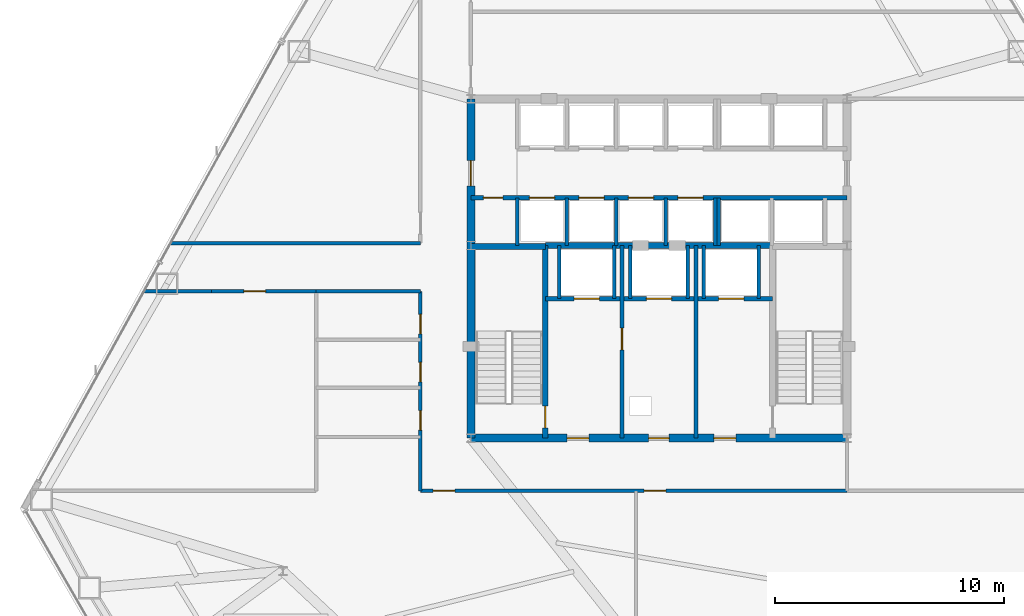
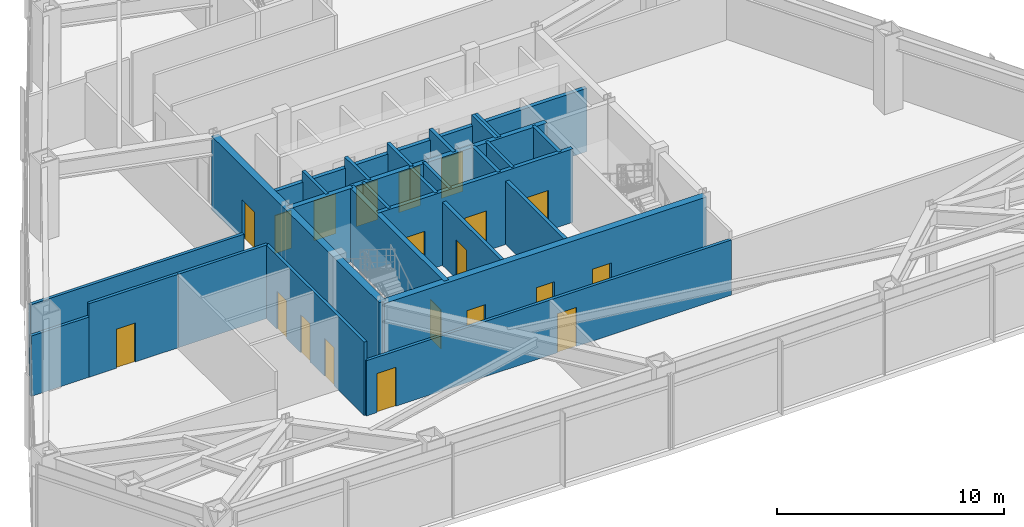
# One storey, part 10 of 13: 27 walls, 20 doors, 20 openings.
"""IFC4 building model written with IfcOpenShell, lengths in metres."""

import ifcopenshell
import ifcopenshell.guid

model = None  # the IFC model being written
_history = None  # IfcOwnerHistory: only IFC2X3 demands one
_inside = {}  # id of a spatial element -> (the spatial element, [elements in it])
_under = {}  # id of a project, library or spatial element -> (it, [spatial elements below it])
_declared = {}  # id of a project -> (the project, [libraries it declares])
_typed = {}  # id of a type object -> (the type object, [elements of that type])
_made_of = {}  # id of a material, layer set ... -> (it, [elements and type objects made of it])


def new_model(schema):
    """Start an empty IFC model of exactly this schema.

    Asked for "IFC4X3", IfcOpenShell would pick the latest addendum, in which some entities
    have other attributes; the version numbers below select the first issue.
    IFC2X3 requires an IfcOwnerHistory on every rooted entity: one is made here for all.
    """
    global model, _history
    if schema == "IFC4X3":
        model = ifcopenshell.file(schema_version=(4, 3, 0, 0))
    else:
        model = ifcopenshell.file(schema=schema)
    _inside.clear()
    _under.clear()
    _declared.clear()
    _typed.clear()
    _made_of.clear()
    _history = None
    if model.schema == "IFC2X3":
        org = make("IfcOrganization", Name="unknown")
        user = make(
            "IfcPersonAndOrganization",
            ThePerson=make("IfcPerson", FamilyName="unknown"),
            TheOrganization=org,
        )
        app = make(
            "IfcApplication",
            ApplicationDeveloper=org,
            Version="unknown",
            ApplicationFullName="unknown",
            ApplicationIdentifier="unknown",
        )
        _history = make(
            "IfcOwnerHistory",
            OwningUser=user,
            OwningApplication=app,
            ChangeAction="ADDED",
            CreationDate=0,
        )
    return model


def make(cls, **values):
    """One entity of the class cls with the attributes given. An attribute that is None is left unset."""
    return model.create_entity(
        cls, **{name: value for name, value in values.items() if value is not None}
    )


def rooted(cls, **values):
    """An entity with a GlobalId (a new one), such as an element, a storey or a relation."""
    return make(cls, GlobalId=ifcopenshell.guid.new(), OwnerHistory=_history, **values)


def si_unit(unit_type, name, prefix=None):
    """IfcSIUnit, for example si_unit("LENGTHUNIT", "METRE", prefix="MILLI")."""
    return make("IfcSIUnit", UnitType=unit_type, Prefix=prefix, Name=name)


def assignment(units):
    """IfcUnitAssignment: the units of a project."""
    return None if units is None else make("IfcUnitAssignment", Units=units)


def point(xyz):
    """IfcCartesianPoint."""
    return None if xyz is None else make("IfcCartesianPoint", Coordinates=xyz)


def direction(xyz):
    """IfcDirection."""
    return None if xyz is None else make("IfcDirection", DirectionRatios=xyz)


def frame(location, z_axis=None, x_axis=None):
    """IfcAxis2Placement3D, a coordinate frame: its origin and axes. An axis left out is left unset."""
    return make(
        "IfcAxis2Placement3D",
        Location=point(location),
        Axis=direction(z_axis),
        RefDirection=direction(x_axis),
    )


def frame_2d(location, x_axis=None):
    """IfcAxis2Placement2D, a coordinate frame in the plane: its origin and x axis."""
    return make(
        "IfcAxis2Placement2D", Location=point(location), RefDirection=direction(x_axis)
    )


def origin():
    """The frame at (0, 0, 0) with its axes left unset."""
    return frame((0.0, 0.0, 0.0))


def place(relative_to, where):
    """IfcLocalPlacement: puts the frame where relative to a parent placement (None: the world)."""
    return make(
        "IfcLocalPlacement", PlacementRelTo=relative_to, RelativePlacement=where
    )


def context(
    kind, dimensions, precision=None, world=None, true_north=None, identifier=None
):
    """IfcGeometricRepresentationContext, for example the 3D "Model" context."""
    return make(
        "IfcGeometricRepresentationContext",
        ContextIdentifier=identifier,
        ContextType=kind,
        CoordinateSpaceDimension=dimensions,
        Precision=precision,
        WorldCoordinateSystem=world,
        TrueNorth=true_north,
    )


def subcontext(parent, identifier, kind, view, scale=None):
    """IfcGeometricRepresentationSubContext, for example "Body" below "Model"."""
    return make(
        "IfcGeometricRepresentationSubContext",
        ContextIdentifier=identifier,
        ContextType=kind,
        ParentContext=parent,
        TargetScale=scale,
        TargetView=view,
    )


def project(units=None, contexts=None):
    """IfcProject with its units and contexts."""
    return rooted(
        "IfcProject",
        Name="project",
        RepresentationContexts=contexts,
        UnitsInContext=assignment(units),
    )


def spatial(cls, under=None, at=None, **own):
    """A site, building, storey or space (cls), placed at a placement, below another one or the project."""
    s = rooted(cls, ObjectPlacement=at, **own)
    if under is not None:
        _under.setdefault(under.id(), (under, []))[1].append(s)
    return s


def profile(cls, at=None, kind="AREA", **sizes):
    """A parametric profile (cls). Its sizes go by their IFC names, for example OverallWidth=200.0."""
    return make(cls, ProfileType=kind, Position=at, **sizes)


def rectangle(**sizes):
    """IfcRectangleProfileDef."""
    return profile("IfcRectangleProfileDef", **sizes)


def extrude(swept, where, along, depth):
    """IfcExtrudedAreaSolid: the profile swept, set in the frame where, extruded along a direction by depth."""
    return make(
        "IfcExtrudedAreaSolid",
        SweptArea=swept,
        Position=where,
        ExtrudedDirection=direction(along),
        Depth=depth,
    )


def shape(context_of_items, identifier, shape_type, items):
    """IfcShapeRepresentation: the items that make up one representation, for example the "Body"."""
    return make(
        "IfcShapeRepresentation",
        ContextOfItems=context_of_items,
        RepresentationIdentifier=identifier,
        RepresentationType=shape_type,
        Items=items,
    )


def material(Name=None, Category=None):
    """IfcMaterial."""
    return make("IfcMaterial", Name=Name, Category=Category)


def layer(
    of_material, thickness, ventilated=None, Name=None, Category=None, Priority=None
):
    """IfcMaterialLayer: one layer of a wall or slab, of a material (None: an air gap)."""
    return make(
        "IfcMaterialLayer",
        Material=of_material,
        LayerThickness=thickness,
        IsVentilated=ventilated,
        Name=Name,
        Category=Category,
        Priority=Priority,
    )


def layer_set(layers, Name=None):
    """IfcMaterialLayerSet."""
    return make("IfcMaterialLayerSet", MaterialLayers=layers, LayerSetName=Name)


def made_of(thing, what):
    """Note that an element or type object is made of a material, layer set ...; save() writes the relation."""
    if what is not None:
        _made_of.setdefault(what.id(), (what, []))[1].append(thing)
    return thing


def type_object(cls, material=None, **own):
    """A type object (cls), such as IfcWallType, which elements share."""
    return made_of(rooted(cls, **own), material)


def element(
    cls,
    number,
    at=None,
    inside=None,
    cuts=None,
    type_object=None,
    material=None,
    context=None,
    identifier="Body",
    shape_type=None,
    held_by="IfcProductDefinitionShape",
    body=None,
    shapes=None,
    **own,
):
    """One element of the class cls, such as IfcWall. Its Tag is "e" and its number.

    at: its placement. inside: the storey or other place that contains it. cuts: it is an
    opening in that element (IfcRelVoidsElement). A single representation is given by context,
    identifier, shape_type and body (its items); several are given by shapes. held_by: the class
    of the entity that holds the representations. save() writes the other relations.
    """
    e = rooted(cls, Tag="e%d" % number, ObjectPlacement=at, **own)
    if body is not None:
        shapes = [shape(context, identifier, shape_type, body)]
    if shapes is not None:
        e.Representation = make(held_by, Representations=shapes)
    if inside is not None:
        _inside.setdefault(inside.id(), (inside, []))[1].append(e)
    if cuts is not None:
        rooted(
            "IfcRelVoidsElement", RelatingBuildingElement=cuts, RelatedOpeningElement=e
        )
    if type_object is not None:
        _typed.setdefault(type_object.id(), (type_object, []))[1].append(e)
    return made_of(e, material)


def fill(opening, filler):
    """IfcRelFillsElement: the door or window that sits in an opening."""
    return rooted(
        "IfcRelFillsElement",
        RelatingOpeningElement=opening,
        RelatedBuildingElement=filler,
    )


def aggregate(whole, parts):
    """IfcRelAggregates: a whole, such as a stair, and the parts it consists of."""
    return rooted("IfcRelAggregates", RelatingObject=whole, RelatedObjects=parts)


def save(model, path):
    """Write the relations noted so far, then the file.

    IfcRelAggregates (storeys below a building ...), IfcRelContainedInSpatialStructure (elements
    in a storey), IfcRelDefinesByType, IfcRelAssociatesMaterial and IfcRelDeclares: one each for
    every whole, place, type object, material and project.
    """
    for whole, parts in _under.values():
        aggregate(whole, parts)
    for where, things in _inside.values():
        rooted(
            "IfcRelContainedInSpatialStructure",
            RelatedElements=things,
            RelatingStructure=where,
        )
    for kind, things in _typed.values():
        rooted("IfcRelDefinesByType", RelatedObjects=things, RelatingType=kind)
    for what, things in _made_of.values():
        rooted("IfcRelAssociatesMaterial", RelatedObjects=things, RelatingMaterial=what)
    for by, libraries in _declared.values():
        rooted("IfcRelDeclares", RelatingContext=by, RelatedDefinitions=libraries)
    model.write(path)


model = new_model("IFC4")

# Units and contexts
model_context = context("Model", 3, precision=1e-05, world=origin(), true_north=direction((0.0, 1.0)))
body_context = subcontext(model_context, "Body", "Model", "MODEL_VIEW")
ifc_project = project(units=[si_unit("LENGTHUNIT", "METRE"), si_unit("AREAUNIT", "SQUARE_METRE"), si_unit("VOLUMEUNIT", "CUBIC_METRE"), si_unit("PLANEANGLEUNIT", "RADIAN"), si_unit("MASSUNIT", "GRAM", prefix="KILO")], contexts=[model_context])

# Site, building, storey
site_placement = place(None, origin())
site = spatial("IfcSite", under=ifc_project, at=site_placement, CompositionType="ELEMENT")
building_placement = place(site_placement, origin())
building = spatial("IfcBuilding", under=site, at=building_placement, Name="Varakhsha Concourse Tower", CompositionType="ELEMENT")
storey_placement = place(building_placement, frame((0.0, 0.0, 111.800048828125)))
storey = spatial("IfcBuildingStorey", under=building, at=storey_placement, Name="L32", CompositionType="ELEMENT", Elevation=111.800048828125)

# Wall, openings, doors
ifc_material_1 = material(Name="Concrete fc 65 MPa", Category="concrete")
ifc_layer_1 = layer(ifc_material_1, 0.35009765625, Name="WL-CORE-350")
ifc_layer_set_1 = layer_set([ifc_layer_1], Name="Concrete fc 65 MPa")
wall_type_1 = type_object("IfcWallType", Name="WL-CORE-350", PredefinedType="SHEAR", material=ifc_layer_set_1)
wall_1_placement = place(storey_placement, frame((31.800048828125, 16.39990234375, 0.0), z_axis=(0.0, 0.0, 1.0), x_axis=(1.0, 0.0, 0.0)))
wall_1 = element("IfcWall", 1, at=wall_1_placement, inside=storey, type_object=wall_type_1, Name="L32 Wall CWALL-S-L32", PredefinedType="SHEAR", context=body_context, shape_type="SweptSolid", body=[
    extrude(rectangle(XDim=16.39990234375, YDim=0.35009765625, at=frame_2d((8.199951171875, 0.0))), origin(), (0.0, 0.0, 1.0), 3.9599609375),
])
opening_1_placement = place(wall_1_placement, frame((7.75, 0.0, 0.0)))
opening_1 = element("IfcOpeningElement", 2, at=opening_1_placement, cuts=wall_1, Name="Opening DF-06", PredefinedType="OPENING", context=body_context, shape_type="SweptSolid", body=[
    extrude(rectangle(XDim=0.89990234375, YDim=2.10009765625, at=frame_2d((0.449951171875, 1.050048828125))), frame((0.0, 0.18505859375, 0.0), z_axis=(0.0, -1.0, 0.0), x_axis=(1.0, 0.0, 0.0)), (0.0, 0.0, 1.0), 0.3701171875),
])
opening_2_placement = place(wall_1_placement, frame((4.199951171875, 0.0, 0.0)))
opening_2 = element("IfcOpeningElement", 3, at=opening_2_placement, cuts=wall_1, Name="Opening DF-05", PredefinedType="OPENING", context=body_context, shape_type="SweptSolid", body=[
    extrude(rectangle(XDim=0.949951171875, YDim=2.10009765625, at=frame_2d((0.47509765625, 1.050048828125))), frame((0.0, 0.18505859375, 0.0), z_axis=(0.0, -1.0, 0.0), x_axis=(1.0, 0.0, 0.0)), (0.0, 0.0, 1.0), 0.3701171875),
])
opening_3_placement = place(wall_1_placement, frame((10.60009765625, 0.0, 0.0)))
opening_3 = element("IfcOpeningElement", 4, at=opening_3_placement, cuts=wall_1, Name="Opening DF-05", PredefinedType="OPENING", context=body_context, shape_type="SweptSolid", body=[
    extrude(rectangle(XDim=0.949951171875, YDim=2.10009765625, at=frame_2d((0.47509765625, 1.050048828125))), frame((0.0, 0.18505859375, 0.0), z_axis=(0.0, -1.0, 0.0), x_axis=(1.0, 0.0, 0.0)), (0.0, 0.0, 1.0), 0.3701171875),
])
ifc_material_2 = material(Name="Hollow Galvanised Steel Fire Door Assembly", Category="steel")
door_type_1 = type_object("IfcDoorType", Name="DR-FD60-900", OperationType="NOTDEFINED", PredefinedType="DOOR", material=ifc_material_2)
door_1_placement = place(opening_1_placement, origin())
door_1 = element("IfcDoor", 5, at=door_1_placement, inside=storey, type_object=door_type_1, Name="L32 Service Riser Vestibule Door", OperationType="SINGLE_SWING_LEFT", OverallHeight=2.10009765625, OverallWidth=0.89990234375, PredefinedType="DOOR", context=body_context, shape_type="SweptSolid", body=[
    extrude(rectangle(XDim=0.89990234375, YDim=2.10009765625, at=frame_2d((0.449951171875, 1.050048828125))), frame((0.0, 0.02490234375, 0.0), z_axis=(0.0, -1.0, 0.0), x_axis=(1.0, 0.0, 0.0)), (0.0, 0.0, 1.0), 0.050048828125),
])
fill(opening_1, door_1)
door_type_2 = type_object("IfcDoorType", Name="DR-FD60-950", OperationType="NOTDEFINED", PredefinedType="DOOR", material=ifc_material_2)
door_2_placement = place(opening_2_placement, origin())
door_2 = element("IfcDoor", 6, at=door_2_placement, inside=storey, type_object=door_type_2, Name="L32 Firefighting Lobby West Door", OperationType="SINGLE_SWING_RIGHT", OverallHeight=2.10009765625, OverallWidth=0.949951171875, PredefinedType="DOOR", context=body_context, shape_type="SweptSolid", body=[
    extrude(rectangle(XDim=0.949951171875, YDim=2.10009765625, at=frame_2d((0.47509765625, 1.050048828125))), frame((0.0, 0.02490234375, 0.0), z_axis=(0.0, -1.0, 0.0), x_axis=(1.0, 0.0, 0.0)), (0.0, 0.0, 1.0), 0.050048828125),
])
fill(opening_2, door_2)
door_3_placement = place(opening_3_placement, origin())
door_3 = element("IfcDoor", 7, at=door_3_placement, inside=storey, type_object=door_type_2, Name="L32 Firefighting Lobby East Door", OperationType="SINGLE_SWING_LEFT", OverallHeight=2.10009765625, OverallWidth=0.949951171875, PredefinedType="DOOR", context=body_context, shape_type="SweptSolid", body=[
    extrude(rectangle(XDim=0.949951171875, YDim=2.10009765625, at=frame_2d((0.47509765625, 1.050048828125))), frame((0.0, 0.02490234375, 0.0), z_axis=(0.0, -1.0, 0.0), x_axis=(1.0, 0.0, 0.0)), (0.0, 0.0, 1.0), 0.050048828125),
])
fill(opening_3, door_3)

# Wall, opening, door
wall_2_placement = place(storey_placement, frame((31.800048828125, 16.39990234375, 0.0), z_axis=(0.0, 0.0, 1.0), x_axis=(0.0, 1.0, 0.0)))
wall_2 = element("IfcWall", 8, at=wall_2_placement, inside=storey, type_object=wall_type_1, Name="L32 Wall CWALL-W-L32", PredefinedType="SHEAR", context=body_context, shape_type="SweptSolid", body=[
    extrude(rectangle(XDim=14.800048828125, YDim=0.35009765625, at=frame_2d((7.39990234375, 0.0))), origin(), (0.0, 0.0, 1.0), 3.9599609375),
])
opening_4_placement = place(wall_2_placement, frame((11.0, 0.0, 0.0)))
opening_4 = element("IfcOpeningElement", 9, at=opening_4_placement, cuts=wall_2, Name="Opening DL-01", PredefinedType="OPENING", context=body_context, shape_type="SweptSolid", body=[
    extrude(rectangle(XDim=1.10009765625, YDim=2.14990234375, at=frame_2d((0.550048828125, 1.074951171875))), frame((0.0, 0.18505859375, 0.0), z_axis=(0.0, -1.0, 0.0), x_axis=(1.0, 0.0, 0.0)), (0.0, 0.0, 1.0), 0.3701171875),
])
ifc_material_3 = material(Name="Anodised Bronze Architectural Aluminium AA 6063-T6", Category="aluminium")
door_type_3 = type_object("IfcDoorType", Name="DR-LOB-1100", OperationType="NOTDEFINED", PredefinedType="DOOR", material=ifc_material_3)
door_4_placement = place(opening_4_placement, origin())
door_4 = element("IfcDoor", 10, at=door_4_placement, inside=storey, type_object=door_type_3, Name="L32 Lift Lobby West Concourse Door", OperationType="SINGLE_SWING_LEFT", OverallHeight=2.14990234375, OverallWidth=1.10009765625, PredefinedType="DOOR", context=body_context, shape_type="SweptSolid", body=[
    extrude(rectangle(XDim=1.10009765625, YDim=2.14990234375, at=frame_2d((0.550048828125, 1.074951171875))), frame((0.0, 0.02490234375, 0.0), z_axis=(0.0, -1.0, 0.0), x_axis=(1.0, 0.0, 0.0)), (0.0, 0.0, 1.0), 0.050048828125),
])
fill(opening_4, door_4)

ifc_material_4 = material(Name="Fire-Rated Type X Gypsum Partition Assembly", Category="gypsum")
ifc_layer_2 = layer(ifc_material_4, 0.179931640625, Name="WL-FFLOB-180")
ifc_layer_set_2 = layer_set([ifc_layer_2], Name="Fire-Rated Type X Gypsum Partition Assembly")
wall_type_2 = type_object("IfcWallType", Name="WL-FFLOB-180", PredefinedType="PARTITIONING", material=ifc_layer_set_2)
wall_3_placement = place(storey_placement, frame((38.389892578125, 16.39990234375, 0.0), z_axis=(0.0, 0.0, 1.0), x_axis=(0.0, 1.0, 0.0)))
wall_3 = element("IfcWall", 11, at=wall_3_placement, inside=storey, type_object=wall_type_2, Name="L32 Wall FFW-1E-L32", PredefinedType="PARTITIONING", context=body_context, shape_type="SweptSolid", body=[
    extrude(rectangle(XDim=8.400146484375, YDim=0.179931640625, at=frame_2d((4.2001953125, 0.0))), origin(), (0.0, 0.0, 1.0), 3.410888671875),
])
opening_5_placement = place(wall_3_placement, frame((3.85009765625, 0.0, 0.0)))
opening_5 = element("IfcOpeningElement", 12, at=opening_5_placement, cuts=wall_3, Name="Opening DF-05", PredefinedType="OPENING", context=body_context, shape_type="SweptSolid", body=[
    extrude(rectangle(XDim=0.949951171875, YDim=2.10009765625, at=frame_2d((0.47509765625, 1.050048828125))), frame((0.0, 0.099853515625, 0.0), z_axis=(0.0, -1.0, 0.0), x_axis=(1.0, 0.0, 0.0)), (0.0, 0.0, 1.0), 0.199951171875),
])
door_5_placement = place(opening_5_placement, origin())
door_5 = element("IfcDoor", 13, at=door_5_placement, inside=storey, type_object=door_type_2, Name="L32 Service Vestibule Door", OperationType="SINGLE_SWING_RIGHT", OverallHeight=2.10009765625, OverallWidth=0.949951171875, PredefinedType="DOOR", context=body_context, shape_type="SweptSolid", body=[
    extrude(rectangle(XDim=0.949951171875, YDim=2.10009765625, at=frame_2d((0.47509765625, 1.050048828125))), frame((0.0, 0.02490234375, 0.0), z_axis=(0.0, -1.0, 0.0), x_axis=(1.0, 0.0, 0.0)), (0.0, 0.0, 1.0), 0.050048828125),
])
fill(opening_5, door_5)

# Wall
wall_4_placement = place(storey_placement, frame((41.610107421875, 16.39990234375, 0.0), z_axis=(0.0, 0.0, 1.0), x_axis=(0.0, 1.0, 0.0)))
element("IfcWall", 14, at=wall_4_placement, inside=storey, type_object=wall_type_2, Name="L32 Wall FFW-2W-L32", PredefinedType="PARTITIONING", context=body_context, shape_type="SweptSolid", body=[
    extrude(rectangle(XDim=8.400146484375, YDim=0.179931640625, at=frame_2d((4.2001953125, 0.0))), origin(), (0.0, 0.0, 1.0), 3.410888671875),
])

# Wall, openings, doors
ifc_layer_3 = layer(ifc_material_4, 0.14990234375, Name="WL-PART-150")
ifc_layer_set_3 = layer_set([ifc_layer_3], Name="Fire-Rated Type X Gypsum Partition Assembly")
wall_type_3 = type_object("IfcWallType", Name="WL-PART-150", PredefinedType="PARTITIONING", material=ifc_layer_set_3)
wall_5_placement = place(storey_placement, frame((29.60009765625, 14.10009765625, 0.0), z_axis=(0.0, 0.0, 1.0), x_axis=(1.0, 0.0, 0.0)))
wall_5 = element("IfcWall", 15, at=wall_5_placement, inside=storey, type_object=wall_type_3, Name="L32 Wall CRW-S-L32", PredefinedType="PARTITIONING", context=body_context, shape_type="SweptSolid", body=[
    extrude(rectangle(XDim=18.599853515625, YDim=0.14990234375, at=frame_2d((9.2998046875, 0.0))), origin(), (0.0, 0.0, 1.0), 2.974853515625),
])
opening_6_placement = place(wall_5_placement, frame((0.550048828125, 0.0, 0.0)))
opening_6 = element("IfcOpeningElement", 16, at=opening_6_placement, cuts=wall_5, Name="Opening DF-05", PredefinedType="OPENING", context=body_context, shape_type="SweptSolid", body=[
    extrude(rectangle(XDim=0.949951171875, YDim=2.10009765625, at=frame_2d((0.47509765625, 1.050048828125))), frame((0.0, 0.0849609375, 0.0), z_axis=(0.0, -1.0, 0.0), x_axis=(1.0, 0.0, 0.0)), (0.0, 0.0, 1.0), 0.169921875),
])
opening_7_placement = place(wall_5_placement, frame((9.75, 0.0, 0.0)))
opening_7 = element("IfcOpeningElement", 17, at=opening_7_placement, cuts=wall_5, Name="Opening DF-05", PredefinedType="OPENING", context=body_context, shape_type="SweptSolid", body=[
    extrude(rectangle(XDim=0.949951171875, YDim=2.10009765625, at=frame_2d((0.47509765625, 1.050048828125))), frame((0.0, 0.0849609375, 0.0), z_axis=(0.0, -1.0, 0.0), x_axis=(1.0, 0.0, 0.0)), (0.0, 0.0, 1.0), 0.169921875),
])
door_6_placement = place(opening_6_placement, origin())
door_6 = element("IfcDoor", 18, at=door_6_placement, inside=storey, type_object=door_type_2, Name="L32 Concourse Briefing Room L32-S1 Door", OperationType="SINGLE_SWING_LEFT", OverallHeight=2.10009765625, OverallWidth=0.949951171875, PredefinedType="DOOR", context=body_context, shape_type="SweptSolid", body=[
    extrude(rectangle(XDim=0.949951171875, YDim=2.10009765625, at=frame_2d((0.47509765625, 1.050048828125))), frame((0.0, 0.02490234375, 0.0), z_axis=(0.0, -1.0, 0.0), x_axis=(1.0, 0.0, 0.0)), (0.0, 0.0, 1.0), 0.050048828125),
])
fill(opening_6, door_6)
door_7_placement = place(opening_7_placement, origin())
door_7 = element("IfcDoor", 19, at=door_7_placement, inside=storey, type_object=door_type_2, Name="L32 Sky Lobby Transfer Lounge L32-S2 Door", OperationType="SINGLE_SWING_RIGHT", OverallHeight=2.10009765625, OverallWidth=0.949951171875, PredefinedType="DOOR", context=body_context, shape_type="SweptSolid", body=[
    extrude(rectangle(XDim=0.949951171875, YDim=2.10009765625, at=frame_2d((0.47509765625, 1.050048828125))), frame((0.0, 0.02490234375, 0.0), z_axis=(0.0, -1.0, 0.0), x_axis=(1.0, 0.0, 0.0)), (0.0, 0.0, 1.0), 0.050048828125),
])
fill(opening_7, door_7)

wall_6_placement = place(storey_placement, frame((29.60009765625, 14.10009765625, 0.0), z_axis=(0.0, 0.0, 1.0), x_axis=(0.0, 1.0, 0.0)))
wall_6 = element("IfcWall", 20, at=wall_6_placement, inside=storey, type_object=wall_type_3, Name="L32 Wall CRW-WS-L32", PredefinedType="PARTITIONING", context=body_context, shape_type="SweptSolid", body=[
    extrude(rectangle(XDim=8.699951171875, YDim=0.14990234375, at=frame_2d((4.35009765625, 0.0))), origin(), (0.0, 0.0, 1.0), 3.9599609375),
])
opening_8_placement = place(wall_6_placement, frame((2.64990234375, 0.0, 0.0)))
opening_8 = element("IfcOpeningElement", 21, at=opening_8_placement, cuts=wall_6, Name="Opening DF-07", PredefinedType="OPENING", context=body_context, shape_type="SweptSolid", body=[
    extrude(rectangle(XDim=0.85009765625, YDim=2.050048828125, at=frame_2d((0.425048828125, 1.02490234375))), frame((0.0, 0.0849609375, 0.0), z_axis=(0.0, -1.0, 0.0), x_axis=(1.0, 0.0, 0.0)), (0.0, 0.0, 1.0), 0.169921875),
])
opening_9_placement = place(wall_6_placement, frame((4.75, 0.0, 0.0)))
opening_9 = element("IfcOpeningElement", 22, at=opening_9_placement, cuts=wall_6, Name="Opening DF-07", PredefinedType="OPENING", context=body_context, shape_type="SweptSolid", body=[
    extrude(rectangle(XDim=0.85009765625, YDim=2.050048828125, at=frame_2d((0.425048828125, 1.02490234375))), frame((0.0, 0.0849609375, 0.0), z_axis=(0.0, -1.0, 0.0), x_axis=(1.0, 0.0, 0.0)), (0.0, 0.0, 1.0), 0.169921875),
])
opening_10_placement = place(wall_6_placement, frame((6.85009765625, 0.0, 0.0)))
opening_10 = element("IfcOpeningElement", 23, at=opening_10_placement, cuts=wall_6, Name="Opening DF-07", PredefinedType="OPENING", context=body_context, shape_type="SweptSolid", body=[
    extrude(rectangle(XDim=0.85009765625, YDim=2.050048828125, at=frame_2d((0.425048828125, 1.02490234375))), frame((0.0, 0.0849609375, 0.0), z_axis=(0.0, -1.0, 0.0), x_axis=(1.0, 0.0, 0.0)), (0.0, 0.0, 1.0), 0.169921875),
])
door_type_4 = type_object("IfcDoorType", Name="DR-FD60-850", OperationType="NOTDEFINED", PredefinedType="DOOR", material=ifc_material_2)
door_8_placement = place(opening_8_placement, origin())
door_8 = element("IfcDoor", 24, at=door_8_placement, inside=storey, type_object=door_type_4, Name="L32 Men Restroom WC Door", OperationType="SINGLE_SWING_LEFT", OverallHeight=2.050048828125, OverallWidth=0.85009765625, PredefinedType="DOOR", context=body_context, shape_type="SweptSolid", body=[
    extrude(rectangle(XDim=0.85009765625, YDim=2.050048828125, at=frame_2d((0.425048828125, 1.02490234375))), frame((0.0, 0.02490234375, 0.0), z_axis=(0.0, -1.0, 0.0), x_axis=(1.0, 0.0, 0.0)), (0.0, 0.0, 1.0), 0.050048828125),
])
fill(opening_8, door_8)
door_9_placement = place(opening_9_placement, origin())
door_9 = element("IfcDoor", 25, at=door_9_placement, inside=storey, type_object=door_type_4, Name="L32 Women Restroom WC Door", OperationType="SINGLE_SWING_LEFT", OverallHeight=2.050048828125, OverallWidth=0.85009765625, PredefinedType="DOOR", context=body_context, shape_type="SweptSolid", body=[
    extrude(rectangle(XDim=0.85009765625, YDim=2.050048828125, at=frame_2d((0.425048828125, 1.02490234375))), frame((0.0, 0.02490234375, 0.0), z_axis=(0.0, -1.0, 0.0), x_axis=(1.0, 0.0, 0.0)), (0.0, 0.0, 1.0), 0.050048828125),
])
fill(opening_9, door_9)
door_10_placement = place(opening_10_placement, origin())
door_10 = element("IfcDoor", 26, at=door_10_placement, inside=storey, type_object=door_type_4, Name="L32 Accessible WC Door", OperationType="SINGLE_SWING_LEFT", OverallHeight=2.050048828125, OverallWidth=0.85009765625, PredefinedType="DOOR", context=body_context, shape_type="SweptSolid", body=[
    extrude(rectangle(XDim=0.85009765625, YDim=2.050048828125, at=frame_2d((0.425048828125, 1.02490234375))), frame((0.0, 0.02490234375, 0.0), z_axis=(0.0, -1.0, 0.0), x_axis=(1.0, 0.0, 0.0)), (0.0, 0.0, 1.0), 0.050048828125),
])
fill(opening_10, door_10)

# Walls
wall_7_placement = place(storey_placement, frame((17.551513671875, 22.800048828125, 0.0), z_axis=(0.0, 0.0, 1.0), x_axis=(1.0, 0.0, 0.0)))
element("IfcWall", 27, at=wall_7_placement, inside=storey, type_object=wall_type_3, Name="L32 Wall CRW-WWS-W-L32", PredefinedType="PARTITIONING", context=body_context, shape_type="SweptSolid", body=[
    extrude(rectangle(XDim=2.948486328125, YDim=0.14990234375, at=frame_2d((1.47412109375, 0.0))), origin(), (0.0, 0.0, 1.0), 3.248046875),
])
wall_8_placement = place(storey_placement, frame((25.050048828125, 22.800048828125, 0.0), z_axis=(0.0, 0.0, 1.0), x_axis=(1.0, 0.0, 0.0)))
element("IfcWall", 28, at=wall_8_placement, inside=storey, type_object=wall_type_3, Name="L32 Wall CRW-WWS-E-L32", PredefinedType="PARTITIONING", context=body_context, shape_type="SweptSolid", body=[
    extrude(rectangle(XDim=4.550048828125, YDim=0.14990234375, at=frame_2d((2.27490234375, 0.0))), origin(), (0.0, 0.0, 1.0), 3.9599609375),
])
wall_9_placement = place(storey_placement, frame((18.71142578125, 24.89990234375, 0.0), z_axis=(0.0, 0.0, 1.0), x_axis=(1.0, 0.0, 0.0)))
element("IfcWall", 29, at=wall_9_placement, inside=storey, type_object=wall_type_3, Name="L32 Wall CRW-WWN-L32", PredefinedType="PARTITIONING", context=body_context, shape_type="SweptSolid", body=[
    extrude(rectangle(XDim=10.888671875, YDim=0.14990234375, at=frame_2d((5.4443359375, 0.0))), origin(), (0.0, 0.0, 1.0), 3.248046875),
])

# Wall, opening, door
wall_10_placement = place(storey_placement, frame((20.5, 22.800048828125, 0.0), z_axis=(0.0, 0.0, 1.0), x_axis=(1.0, 0.0, 0.0)))
wall_10 = element("IfcWall", 30, at=wall_10_placement, inside=storey, type_object=wall_type_3, Name="L32 Wall CRW-WWS-DOOR-L32", PredefinedType="PARTITIONING", context=body_context, shape_type="SweptSolid", body=[
    extrude(rectangle(XDim=4.550048828125, YDim=0.14990234375, at=frame_2d((2.27490234375, 0.0))), origin(), (0.0, 0.0, 1.0), 3.9599609375),
])
opening_11_placement = place(wall_10_placement, frame((1.39990234375, 0.0, 0.0)))
opening_11 = element("IfcOpeningElement", 31, at=opening_11_placement, cuts=wall_10, Name="Opening DF-05", PredefinedType="OPENING", context=body_context, shape_type="SweptSolid", body=[
    extrude(rectangle(XDim=0.949951171875, YDim=2.10009765625, at=frame_2d((0.47509765625, 1.050048828125))), frame((0.0, 0.0849609375, 0.0), z_axis=(0.0, -1.0, 0.0), x_axis=(1.0, 0.0, 0.0)), (0.0, 0.0, 1.0), 0.169921875),
])
door_11_placement = place(opening_11_placement, origin())
door_11 = element("IfcDoor", 32, at=door_11_placement, inside=storey, type_object=door_type_2, Name="L32 Open Concourse Studio L32-SW Door", OperationType="SINGLE_SWING_LEFT", OverallHeight=2.10009765625, OverallWidth=0.949951171875, PredefinedType="DOOR", context=body_context, shape_type="SweptSolid", body=[
    extrude(rectangle(XDim=0.949951171875, YDim=2.10009765625, at=frame_2d((0.47509765625, 1.050048828125))), frame((0.0, 0.02490234375, 0.0), z_axis=(0.0, -1.0, 0.0), x_axis=(1.0, 0.0, 0.0)), (0.0, 0.0, 1.0), 0.050048828125),
])
fill(opening_11, door_11)

# Wall, openings, doors
ifc_layer_4 = layer(ifc_material_4, 0.199951171875, Name="WL-SHAFT-220")
ifc_layer_set_4 = layer_set([ifc_layer_4], Name="Fire-Rated Type X Gypsum Partition Assembly")
wall_type_4 = type_object("IfcWallType", Name="WL-SHAFT-220", PredefinedType="SOLIDWALL", material=ifc_layer_set_4)
wall_11_placement = place(storey_placement, frame((35.044921875, 22.47998046875, 0.0), z_axis=(0.0, 0.0, 1.0), x_axis=(1.0, 0.0, 0.0)))
wall_11 = element("IfcWall", 33, at=wall_11_placement, inside=storey, type_object=wall_type_4, Name="L32 Wall FFW-NH-L32", PredefinedType="SOLIDWALL", context=body_context, shape_type="SweptSolid", body=[
    extrude(rectangle(XDim=9.91015625, YDim=0.199951171875, at=frame_2d((4.955078125, 0.0))), origin(), (0.0, 0.0, 1.0), 3.9599609375),
])
opening_12_placement = place(wall_11_placement, frame((1.2548828125, 0.0, 0.0)))
opening_12 = element("IfcOpeningElement", 34, at=opening_12_placement, cuts=wall_11, Name="Opening LD-FFL-1", PredefinedType="OPENING", context=body_context, shape_type="SweptSolid", body=[
    extrude(rectangle(XDim=1.10009765625, YDim=2.14990234375, at=frame_2d((0.550048828125, 1.074951171875))), frame((0.0, 0.10986328125, 0.0), z_axis=(0.0, -1.0, 0.0), x_axis=(1.0, 0.0, 0.0)), (0.0, 0.0, 1.0), 0.219970703125),
])
opening_13_placement = place(wall_11_placement, frame((7.554931640625, 0.0, 0.0)))
opening_13 = element("IfcOpeningElement", 35, at=opening_13_placement, cuts=wall_11, Name="Opening LD-FFL-2", PredefinedType="OPENING", context=body_context, shape_type="SweptSolid", body=[
    extrude(rectangle(XDim=1.10009765625, YDim=2.14990234375, at=frame_2d((0.550048828125, 1.074951171875))), frame((0.0, 0.10986328125, 0.0), z_axis=(0.0, -1.0, 0.0), x_axis=(1.0, 0.0, 0.0)), (0.0, 0.0, 1.0), 0.219970703125),
])
opening_14_placement = place(wall_11_placement, frame((4.405029296875, 0.0, 0.0)))
opening_14 = element("IfcOpeningElement", 36, at=opening_14_placement, cuts=wall_11, Name="Opening LD-SVL-1", PredefinedType="OPENING", context=body_context, shape_type="SweptSolid", body=[
    extrude(rectangle(XDim=1.10009765625, YDim=2.14990234375, at=frame_2d((0.550048828125, 1.074951171875))), frame((0.0, 0.10986328125, 0.0), z_axis=(0.0, -1.0, 0.0), x_axis=(1.0, 0.0, 0.0)), (0.0, 0.0, 1.0), 0.219970703125),
])
ifc_material_5 = material(Name="Brushed Austenitic Stainless Steel AISI 316", Category="steel")
door_type_5 = type_object("IfcDoorType", Name="DR-LD-1100", OperationType="DOUBLE_DOOR_SLIDING", PredefinedType="DOOR", material=ifc_material_5)
door_12_placement = place(opening_12_placement, origin())
door_12 = element("IfcDoor", 37, at=door_12_placement, inside=storey, type_object=door_type_5, Name="Lift Landing Door FFL-1 L32", OperationType="DOUBLE_DOOR_SLIDING", OverallHeight=2.14990234375, OverallWidth=1.10009765625, PredefinedType="DOOR", context=body_context, shape_type="SweptSolid", body=[
    extrude(rectangle(XDim=1.10009765625, YDim=2.14990234375, at=frame_2d((0.550048828125, 1.074951171875))), frame((0.0, 0.02490234375, 0.0), z_axis=(0.0, -1.0, 0.0), x_axis=(1.0, 0.0, 0.0)), (0.0, 0.0, 1.0), 0.050048828125),
])
fill(opening_12, door_12)
door_13_placement = place(opening_13_placement, origin())
door_13 = element("IfcDoor", 38, at=door_13_placement, inside=storey, type_object=door_type_5, Name="Lift Landing Door FFL-2 L32", OperationType="DOUBLE_DOOR_SLIDING", OverallHeight=2.14990234375, OverallWidth=1.10009765625, PredefinedType="DOOR", context=body_context, shape_type="SweptSolid", body=[
    extrude(rectangle(XDim=1.10009765625, YDim=2.14990234375, at=frame_2d((0.550048828125, 1.074951171875))), frame((0.0, 0.02490234375, 0.0), z_axis=(0.0, -1.0, 0.0), x_axis=(1.0, 0.0, 0.0)), (0.0, 0.0, 1.0), 0.050048828125),
])
fill(opening_13, door_13)
door_14_placement = place(opening_14_placement, origin())
door_14 = element("IfcDoor", 39, at=door_14_placement, inside=storey, type_object=door_type_5, Name="Lift Landing Door SVL-1 L32", OperationType="DOUBLE_DOOR_SLIDING", OverallHeight=2.14990234375, OverallWidth=1.10009765625, PredefinedType="DOOR", context=body_context, shape_type="SweptSolid", body=[
    extrude(rectangle(XDim=1.10009765625, YDim=2.14990234375, at=frame_2d((0.550048828125, 1.074951171875))), frame((0.0, 0.02490234375, 0.0), z_axis=(0.0, -1.0, 0.0), x_axis=(1.0, 0.0, 0.0)), (0.0, 0.0, 1.0), 0.050048828125),
])
fill(opening_14, door_14)

# Walls
for number, where, z_axis, x_axis, name in (
    (40, (35.64990234375, 22.47998046875, 0.0), (0.0, 0.0, 1.0), (0.0, 1.0, 0.0), "L32 Wall SHW-FFL-1-W-L32"),
    (41, (38.050048828125, 22.47998046875, 0.0), (0.0, 0.0, 1.0), (0.0, 1.0, 0.0), "L32 Wall SHW-FFL-1-E-L32"),
    (42, (41.949951171875, 22.47998046875, 0.0), (0.0, 0.0, 1.0), (0.0, 1.0, 0.0), "L32 Wall SHW-FFL-2-W-L32"),
    (43, (44.35009765625, 22.47998046875, 0.0), (0.0, 0.0, 1.0), (0.0, 1.0, 0.0), "L32 Wall SHW-FFL-2-E-L32"),
    (44, (38.75, 22.47998046875, 0.0), (0.0, 0.0, 1.0), (0.0, 1.0, 0.0), "L32 Wall SHW-SVL-1-W-L32"),
    (45, (41.25, 22.47998046875, 0.0), (0.0, 0.0, 1.0), (0.0, 1.0, 0.0), "L32 Wall SHW-SVL-1-E-L32"),
):
    element("IfcWall", number, at=place(storey_placement, frame(where, z_axis=z_axis, x_axis=x_axis)), inside=storey, type_object=wall_type_4, Name=name, PredefinedType="SOLIDWALL", context=body_context, shape_type="SweptSolid", body=[
        extrude(rectangle(XDim=2.320068359375, YDim=0.159912109375, at=frame_2d((1.16015625, 0.0))), origin(), (0.0, 0.0, 1.0), 3.9599609375),
    ])

# Wall, openings, doors
wall_12_placement = place(storey_placement, frame((31.800048828125, 26.8798828125, 0.0), z_axis=(0.0, 0.0, 1.0), x_axis=(1.0, 0.0, 0.0)))
wall_12 = element("IfcWall", 46, at=wall_12_placement, inside=storey, type_object=wall_type_4, Name="L32 Wall PLW-S-L32", PredefinedType="SOLIDWALL", context=body_context, shape_type="SweptSolid", body=[
    extrude(rectangle(XDim=16.39990234375, YDim=0.199951171875, at=frame_2d((8.199951171875, 0.0))), origin(), (0.0, 0.0, 1.0), 3.410888671875),
])
opening_15_placement = place(wall_12_placement, frame((0.550048828125, 0.0, 0.0)))
opening_15 = element("IfcOpeningElement", 47, at=opening_15_placement, cuts=wall_12, Name="Opening DF-07", PredefinedType="OPENING", context=body_context, shape_type="SweptSolid", body=[
    extrude(rectangle(XDim=0.85009765625, YDim=2.050048828125, at=frame_2d((0.425048828125, 1.02490234375))), frame((0.0, 0.10986328125, 0.0), z_axis=(0.0, -1.0, 0.0), x_axis=(1.0, 0.0, 0.0)), (0.0, 0.0, 1.0), 0.219970703125),
])
opening_16_placement = place(wall_12_placement, frame((2.550048828125, 0.0, 0.0)))
opening_16 = element("IfcOpeningElement", 48, at=opening_16_placement, cuts=wall_12, Name="Opening LD-LF-P05", PredefinedType="OPENING", context=body_context, shape_type="SweptSolid", body=[
    extrude(rectangle(XDim=1.10009765625, YDim=2.14990234375, at=frame_2d((0.550048828125, 1.074951171875))), frame((0.0, 0.10986328125, 0.0), z_axis=(0.0, -1.0, 0.0), x_axis=(1.0, 0.0, 0.0)), (0.0, 0.0, 1.0), 0.219970703125),
])
opening_17_placement = place(wall_12_placement, frame((4.7099609375, 0.0, 0.0)))
opening_17 = element("IfcOpeningElement", 49, at=opening_17_placement, cuts=wall_12, Name="Opening LD-LF-P06", PredefinedType="OPENING", context=body_context, shape_type="SweptSolid", body=[
    extrude(rectangle(XDim=1.10009765625, YDim=2.14990234375, at=frame_2d((0.550048828125, 1.074951171875))), frame((0.0, 0.10986328125, 0.0), z_axis=(0.0, -1.0, 0.0), x_axis=(1.0, 0.0, 0.0)), (0.0, 0.0, 1.0), 0.219970703125),
])
opening_18_placement = place(wall_12_placement, frame((6.8701171875, 0.0, 0.0)))
opening_18 = element("IfcOpeningElement", 50, at=opening_18_placement, cuts=wall_12, Name="Opening LD-LF-P07", PredefinedType="OPENING", context=body_context, shape_type="SweptSolid", body=[
    extrude(rectangle(XDim=1.10009765625, YDim=2.14990234375, at=frame_2d((0.550048828125, 1.074951171875))), frame((0.0, 0.10986328125, 0.0), z_axis=(0.0, -1.0, 0.0), x_axis=(1.0, 0.0, 0.0)), (0.0, 0.0, 1.0), 0.219970703125),
])
opening_19_placement = place(wall_12_placement, frame((9.030029296875, 0.0, 0.0)))
opening_19 = element("IfcOpeningElement", 51, at=opening_19_placement, cuts=wall_12, Name="Opening LD-LF-P08", PredefinedType="OPENING", context=body_context, shape_type="SweptSolid", body=[
    extrude(rectangle(XDim=1.10009765625, YDim=2.14990234375, at=frame_2d((0.550048828125, 1.074951171875))), frame((0.0, 0.10986328125, 0.0), z_axis=(0.0, -1.0, 0.0), x_axis=(1.0, 0.0, 0.0)), (0.0, 0.0, 1.0), 0.219970703125),
])
door_15_placement = place(opening_15_placement, origin())
door_15 = element("IfcDoor", 52, at=door_15_placement, inside=storey, type_object=door_type_4, Name="L32 Core Telecoms Closet Door", OperationType="SINGLE_SWING_RIGHT", OverallHeight=2.050048828125, OverallWidth=0.85009765625, PredefinedType="DOOR", context=body_context, shape_type="SweptSolid", body=[
    extrude(rectangle(XDim=0.85009765625, YDim=2.050048828125, at=frame_2d((0.425048828125, 1.02490234375))), frame((0.0, 0.02490234375, 0.0), z_axis=(0.0, -1.0, 0.0), x_axis=(1.0, 0.0, 0.0)), (0.0, 0.0, 1.0), 0.050048828125),
])
fill(opening_15, door_15)
door_16_placement = place(opening_16_placement, origin())
door_16 = element("IfcDoor", 53, at=door_16_placement, inside=storey, type_object=door_type_5, Name="Lift Landing Door LF-P05 L32", OperationType="DOUBLE_DOOR_SLIDING", OverallHeight=2.14990234375, OverallWidth=1.10009765625, PredefinedType="DOOR", context=body_context, shape_type="SweptSolid", body=[
    extrude(rectangle(XDim=1.10009765625, YDim=2.14990234375, at=frame_2d((0.550048828125, 1.074951171875))), frame((0.0, 0.02490234375, 0.0), z_axis=(0.0, -1.0, 0.0), x_axis=(1.0, 0.0, 0.0)), (0.0, 0.0, 1.0), 0.050048828125),
])
fill(opening_16, door_16)
door_17_placement = place(opening_17_placement, origin())
door_17 = element("IfcDoor", 54, at=door_17_placement, inside=storey, type_object=door_type_5, Name="Lift Landing Door LF-P06 L32", OperationType="DOUBLE_DOOR_SLIDING", OverallHeight=2.14990234375, OverallWidth=1.10009765625, PredefinedType="DOOR", context=body_context, shape_type="SweptSolid", body=[
    extrude(rectangle(XDim=1.10009765625, YDim=2.14990234375, at=frame_2d((0.550048828125, 1.074951171875))), frame((0.0, 0.02490234375, 0.0), z_axis=(0.0, -1.0, 0.0), x_axis=(1.0, 0.0, 0.0)), (0.0, 0.0, 1.0), 0.050048828125),
])
fill(opening_17, door_17)
door_18_placement = place(opening_18_placement, origin())
door_18 = element("IfcDoor", 55, at=door_18_placement, inside=storey, type_object=door_type_5, Name="Lift Landing Door LF-P07 L32", OperationType="DOUBLE_DOOR_SLIDING", OverallHeight=2.14990234375, OverallWidth=1.10009765625, PredefinedType="DOOR", context=body_context, shape_type="SweptSolid", body=[
    extrude(rectangle(XDim=1.10009765625, YDim=2.14990234375, at=frame_2d((0.550048828125, 1.074951171875))), frame((0.0, 0.02490234375, 0.0), z_axis=(0.0, -1.0, 0.0), x_axis=(1.0, 0.0, 0.0)), (0.0, 0.0, 1.0), 0.050048828125),
])
fill(opening_18, door_18)
door_19_placement = place(opening_19_placement, origin())
door_19 = element("IfcDoor", 56, at=door_19_placement, inside=storey, type_object=door_type_5, Name="Lift Landing Door LF-P08 L32", OperationType="DOUBLE_DOOR_SLIDING", OverallHeight=2.14990234375, OverallWidth=1.10009765625, PredefinedType="DOOR", context=body_context, shape_type="SweptSolid", body=[
    extrude(rectangle(XDim=1.10009765625, YDim=2.14990234375, at=frame_2d((0.550048828125, 1.074951171875))), frame((0.0, 0.02490234375, 0.0), z_axis=(0.0, -1.0, 0.0), x_axis=(1.0, 0.0, 0.0)), (0.0, 0.0, 1.0), 0.050048828125),
])
fill(opening_19, door_19)

# Walls
for number, where, z_axis, x_axis, name in (
    (57, (33.820068359375, 24.800048828125, 0.0), (0.0, 0.0, 1.0), (0.0, 1.0, 0.0), "L32 Wall WBOH-E2-L32"),
    (58, (35.97998046875, 24.800048828125, 0.0), (0.0, 0.0, 1.0), (0.0, 1.0, 0.0), "L32 Wall SHW-LF-P05-E-L32"),
    (59, (38.139892578125, 24.800048828125, 0.0), (0.0, 0.0, 1.0), (0.0, 1.0, 0.0), "L32 Wall SHW-LF-P06-E-L32"),
    (60, (40.300048828125, 24.800048828125, 0.0), (0.0, 0.0, 1.0), (0.0, 1.0, 0.0), "L32 Wall SHW-LF-P07-E-L32"),
    (61, (42.4599609375, 24.800048828125, 0.0), (0.0, 0.0, 1.0), (0.0, 1.0, 0.0), "L32 Wall SHW-LF-P08-E-L32"),
    (62, (42.60009765625, 24.800048828125, 0.0), (0.0, 0.0, 1.0), (0.0, 1.0, 0.0), "L32 Wall SHW-LF-P11-W-L32"),
):
    element("IfcWall", number, at=place(storey_placement, frame(where, z_axis=z_axis, x_axis=x_axis)), inside=storey, type_object=wall_type_4, Name=name, PredefinedType="SOLIDWALL", context=body_context, shape_type="SweptSolid", body=[
        extrude(rectangle(XDim=2.079833984375, YDim=0.159912109375, at=frame_2d((1.0400390625, 0.0))), origin(), (0.0, 0.0, 1.0), 3.9599609375),
    ])

# Wall, opening, door
ifc_material_6 = material(Name="Concrete fc 45 MPa", Category="concrete")
ifc_layer_5 = layer(ifc_material_6, 0.25, Name="WL-STAIR-250")
ifc_layer_set_5 = layer_set([ifc_layer_5], Name="Concrete fc 45 MPa")
wall_type_5 = type_object("IfcWallType", Name="WL-STAIR-250", PredefinedType="SHEAR", material=ifc_layer_set_5)
wall_13_placement = place(storey_placement, frame((35.044921875, 16.39990234375, 0.0), z_axis=(0.0, 0.0, 1.0), x_axis=(0.0, 1.0, 0.0)))
wall_13 = element("IfcWall", 63, at=wall_13_placement, inside=storey, type_object=wall_type_5, Name="L32 Wall SWALL-ST1-E-L32", PredefinedType="SHEAR", context=body_context, shape_type="SweptSolid", body=[
    extrude(rectangle(XDim=8.400146484375, YDim=0.25, at=frame_2d((4.2001953125, 0.0))), origin(), (0.0, 0.0, 1.0), 3.9599609375),
])
opening_20_placement = place(wall_13_placement, frame((0.449951171875, 0.0, 0.0)))
opening_20 = element("IfcOpeningElement", 64, at=opening_20_placement, cuts=wall_13, Name="Opening DF-03", PredefinedType="OPENING", context=body_context, shape_type="SweptSolid", body=[
    extrude(rectangle(XDim=0.949951171875, YDim=2.10009765625, at=frame_2d((0.47509765625, 1.050048828125))), frame((0.0, 0.135009765625, 0.0), z_axis=(0.0, -1.0, 0.0), x_axis=(1.0, 0.0, 0.0)), (0.0, 0.0, 1.0), 0.27001953125),
])
door_type_6 = type_object("IfcDoorType", Name="DR-FD90-950", OperationType="NOTDEFINED", PredefinedType="DOOR", material=ifc_material_2)
door_20_placement = place(opening_20_placement, origin())
door_20 = element("IfcDoor", 65, at=door_20_placement, inside=storey, type_object=door_type_6, Name="L32 Stair ST1 Fire Door", OperationType="SINGLE_SWING_LEFT", OverallHeight=2.10009765625, OverallWidth=0.949951171875, PredefinedType="DOOR", context=body_context, shape_type="SweptSolid", body=[
    extrude(rectangle(XDim=0.949951171875, YDim=2.10009765625, at=frame_2d((0.47509765625, 1.050048828125))), frame((0.0, 0.02490234375, 0.0), z_axis=(0.0, -1.0, 0.0), x_axis=(1.0, 0.0, 0.0)), (0.0, 0.0, 1.0), 0.050048828125),
])
fill(opening_20, door_20)

# Walls
wall_14_placement = place(storey_placement, frame((31.800048828125, 24.7548828125, 0.0), z_axis=(0.0, 0.0, 1.0), x_axis=(1.0, 0.0, 0.0)))
element("IfcWall", 66, at=wall_14_placement, inside=storey, type_object=wall_type_5, Name="L32 Wall SWALL-ST1-N-L32", PredefinedType="SHEAR", context=body_context, shape_type="SweptSolid", body=[
    extrude(rectangle(XDim=3.244873046875, YDim=0.25, at=frame_2d((1.62255859375, 0.0))), origin(), (0.0, 0.0, 1.0), 3.9599609375),
])
wall_15_placement = place(storey_placement, frame((35.044921875, 24.800048828125, 0.0), z_axis=(0.0, 0.0, 1.0), x_axis=(1.0, 0.0, 0.0)))
element("IfcWall", 67, at=wall_15_placement, inside=storey, type_object=wall_type_5, Name="L32 Wall SWALL-MID-H-L32", PredefinedType="SHEAR", context=body_context, shape_type="SweptSolid", body=[
    extrude(rectangle(XDim=9.91015625, YDim=0.25, at=frame_2d((4.955078125, 0.0))), origin(), (0.0, 0.0, 1.0), 3.9599609375),
])

save(model, "model.ifc")
